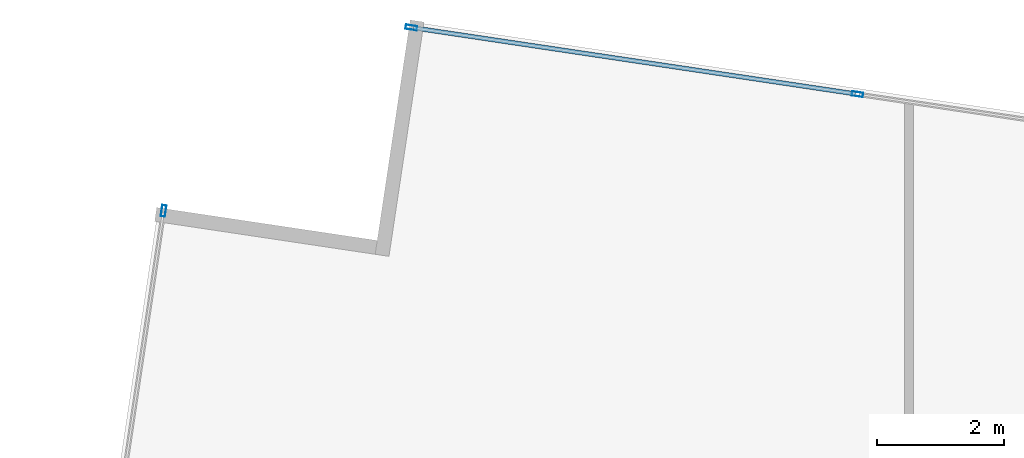
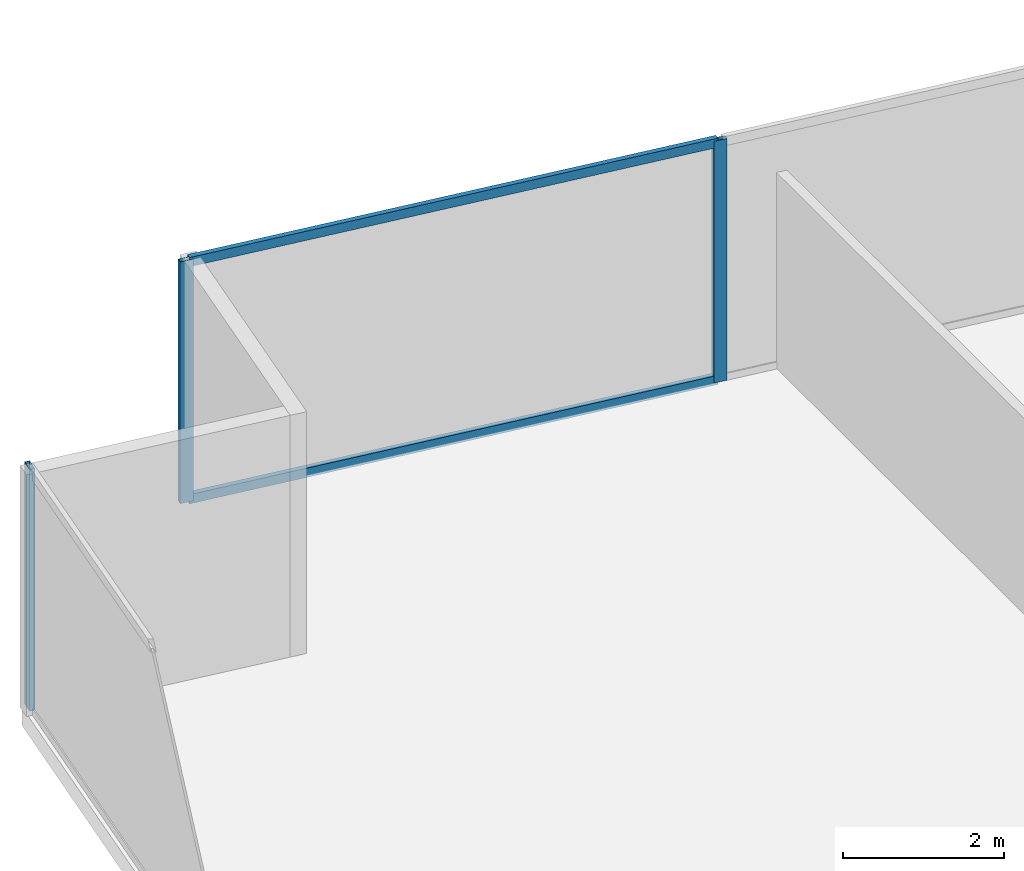
# One storey, part 18 of 29: 5 members, 2 elements without a shape of their own.
"""IFC4 building model written with IfcOpenShell, lengths in metres."""

from ifc_helpers import new_model, si_unit, direction, frame, origin, origin_2d, place, context, subcontext, project, spatial, hollow_rectangle, extrude, source, transform, mapped, material, material_profile, profile_set, type_object, type_shapes, element, aggregate, save


model = new_model("IFC4")

# Units and contexts
model_context = context("Model", 3, precision=1e-05, world=origin(), true_north=direction((0.0, 1.0)))
body_context = subcontext(model_context, "Body", "Model", "MODEL_VIEW")
ifc_project = project(units=[si_unit("LENGTHUNIT", "METRE"), si_unit("AREAUNIT", "SQUARE_METRE"), si_unit("VOLUMEUNIT", "CUBIC_METRE"), si_unit("PLANEANGLEUNIT", "RADIAN"), si_unit("MASSUNIT", "GRAM", prefix="KILO")], contexts=[model_context])

# Site, building, storey
site_placement = place(None, origin())
site = spatial("IfcSite", under=ifc_project, at=site_placement, CompositionType="ELEMENT")
building_placement = place(site_placement, origin())
building = spatial("IfcBuilding", under=site, at=building_placement, Name="Krantzveldt Concourse Tower", CompositionType="ELEMENT")
storey_placement = place(building_placement, frame((0.0, 0.0, 72.39990234375)))
storey = spatial("IfcBuildingStorey", under=building, at=storey_placement, Name="L17", CompositionType="ELEMENT", Elevation=72.39990234375)

# Curtain wall, members
ifc_material = material(Name="Anodised aluminium 6063-T6", Category="aluminium")
curtain_wall_type = type_object("IfcCurtainWallType", Name="CW2", PredefinedType="USERDEFINED", material=ifc_material)
curtain_wall_1_placement = place(storey_placement, origin())
curtain_wall_1 = element("IfcCurtainWall", 1, at=curtain_wall_1_placement, inside=storey, type_object=curtain_wall_type, Name="CW-L17-F10", ObjectType="UNITISED CURTAIN WALL", PredefinedType="USERDEFINED")
ifc_material_profile_1 = material_profile(ifc_material, hollow_rectangle(XDim=0.070068359375, YDim=0.139892578125, WallThickness=0.0048828125, at=origin_2d()), Name="Anodised aluminium 6063-T6", Category="aluminium")
ifc_profile_set_1 = profile_set([ifc_material_profile_1], Name="Anodised aluminium 6063-T6 - ALU-TRAN 140x70x5")
member_type_1 = type_object("IfcMemberType", Name="CW-TRN-150", PredefinedType="USERDEFINED", material=ifc_profile_set_1)
shared_shape_1 = source(origin(), body_context, "Body", "SweptSolid", [
    extrude(hollow_rectangle(XDim=0.070068359375, YDim=0.139892578125, WallThickness=0.0048828125, at=origin_2d()), origin(), (0.0, 0.0, 1.0), 7.061767578125),
])
type_shapes(member_type_1, [shared_shape_1])
member_1_placement = place(storey_placement, frame((25.471435546875, 53.460205078125, 0.03515625), z_axis=(-0.989017605897, 0.147797751082, 0.0), x_axis=(-0.147797751082, -0.989017605897, 0.0)))
member_1 = element("IfcMember", 2, at=member_1_placement, type_object=member_type_1, Name="CW-Z12 transom 6.1", ObjectType="TRANSOM", PredefinedType="USERDEFINED", context=body_context, shape_type="MappedRepresentation", body=[
    mapped(shared_shape_1, transform((0.0, 0.0, 0.0), x_axis=(1.0, 0.0, 0.0), y_axis=(0.0, 1.0, 0.0), z_axis=(0.0, 0.0, 1.0), scale=1.0)),
])
member_2_placement = place(storey_placement, frame((25.471435546875, 53.460205078125, 3.635009765625), z_axis=(-0.989017605897, 0.147797751082, 0.0), x_axis=(-0.147797751082, -0.989017605897, 0.0)))
member_2 = element("IfcMember", 3, at=member_2_placement, type_object=member_type_1, Name="CW-Z12 transom 6.2", ObjectType="TRANSOM", PredefinedType="USERDEFINED", context=body_context, shape_type="MappedRepresentation", body=[
    mapped(shared_shape_1, transform((0.0, 0.0, 0.0), x_axis=(1.0, 0.0, 0.0), y_axis=(0.0, 1.0, 0.0), z_axis=(0.0, 0.0, 1.0), scale=1.0)),
])

# Curtain wall, member
curtain_wall_2_placement = place(storey_placement, origin())
curtain_wall_2 = element("IfcCurtainWall", 4, at=curtain_wall_2_placement, inside=storey, type_object=curtain_wall_type, Name="CW-L17-F01", ObjectType="UNITISED CURTAIN WALL", PredefinedType="USERDEFINED")
ifc_material_profile_2 = material_profile(ifc_material, hollow_rectangle(XDim=0.070068359375, YDim=0.179931640625, WallThickness=0.0048828125, at=origin_2d()), Name="Anodised aluminium 6063-T6", Category="aluminium")
ifc_profile_set_2 = profile_set([ifc_material_profile_2], Name="Anodised aluminium 6063-T6 - ALU-MULL 180x70x5")
member_type_2 = type_object("IfcMemberType", Name="CW-MUL-180", PredefinedType="MULLION", material=ifc_profile_set_2)
shared_shape_2 = source(origin(), body_context, "Body", "SweptSolid", [
    extrude(hollow_rectangle(XDim=0.070068359375, YDim=0.179931640625, WallThickness=0.0048828125, at=origin_2d()), origin(), (0.0, 0.0, 1.0), 3.670166015625),
])
type_shapes(member_type_2, [shared_shape_2])
member_3_placement = place(storey_placement, frame((14.536376953125, 51.611083984375, 0.0), z_axis=(0.0, 0.0, 1.0), x_axis=(0.989015849271, -0.147809505412, 0.0)))
member_3 = element("IfcMember", 5, at=member_3_placement, type_object=member_type_2, Name="CW-Z12 mullion 1", PredefinedType="MULLION", context=body_context, shape_type="MappedRepresentation", body=[
    mapped(shared_shape_2, transform((0.0, 0.0, 0.0), x_axis=(1.0, 0.0, 0.0), y_axis=(0.0, 1.0, 0.0), z_axis=(0.0, 0.0, 1.0), scale=1.0)),
])
aggregate(curtain_wall_2, [member_3])

# Member
member_4_placement = place(storey_placement, frame((25.506103515625, 53.455078125, 0.0), z_axis=(0.0, 0.0, 1.0), x_axis=(-0.147809505412, -0.989015849271, 0.0)))
member_4 = element("IfcMember", 6, at=member_4_placement, type_object=member_type_2, Name="CW-Z12 mullion 6", PredefinedType="MULLION", context=body_context, shape_type="MappedRepresentation", body=[
    mapped(shared_shape_2, transform((0.0, 0.0, 0.0), x_axis=(1.0, 0.0, 0.0), y_axis=(0.0, 1.0, 0.0), z_axis=(0.0, 0.0, 1.0), scale=1.0)),
])

member_5_placement = place(storey_placement, frame((18.45263671875, 54.509033203125, 0.0), z_axis=(0.0, 0.0, 1.0), x_axis=(-0.147809505412, -0.989015849271, 0.0)))
member_5 = element("IfcMember", 7, at=member_5_placement, type_object=member_type_2, Name="CW-Z12 mullion 7", PredefinedType="MULLION", context=body_context, shape_type="MappedRepresentation", body=[
    mapped(shared_shape_2, transform((0.0, 0.0, 0.0), x_axis=(1.0, 0.0, 0.0), y_axis=(0.0, 1.0, 0.0), z_axis=(0.0, 0.0, 1.0), scale=1.0)),
])

aggregate(curtain_wall_1, [member_4, member_5, member_1, member_2])

save(model, "model.ifc")
